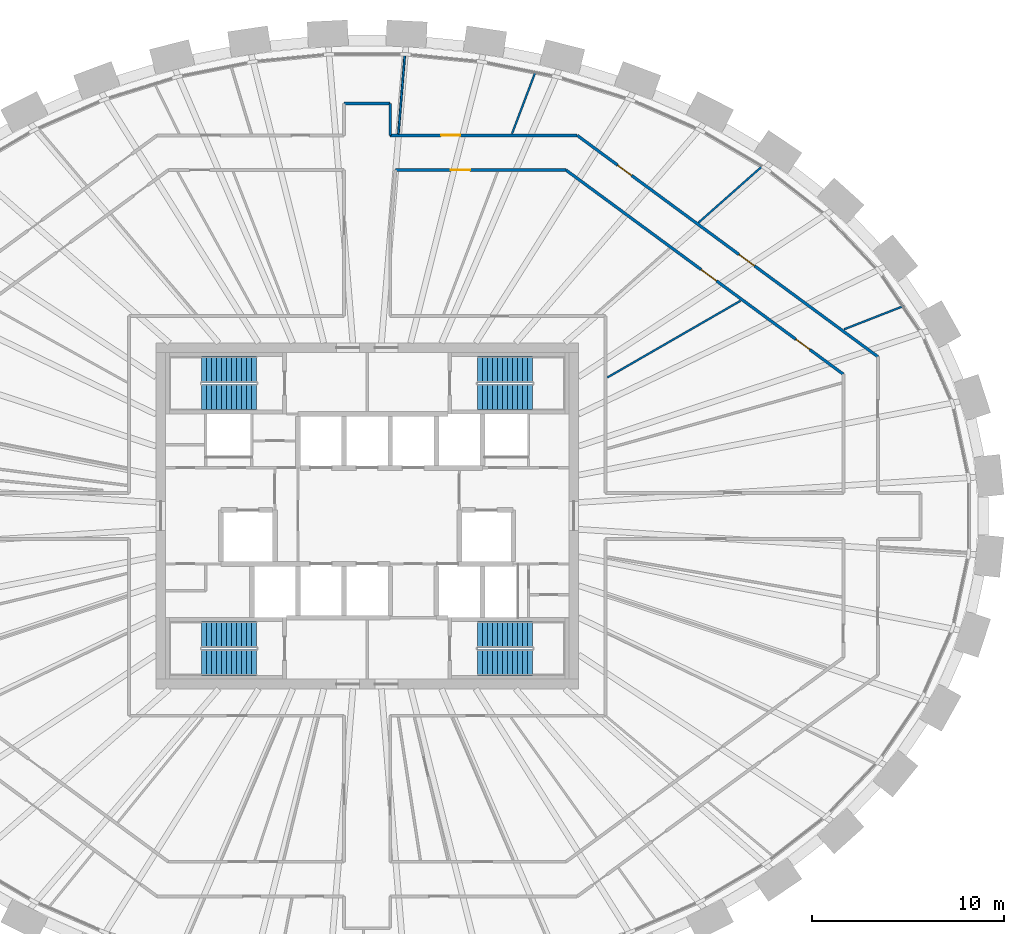
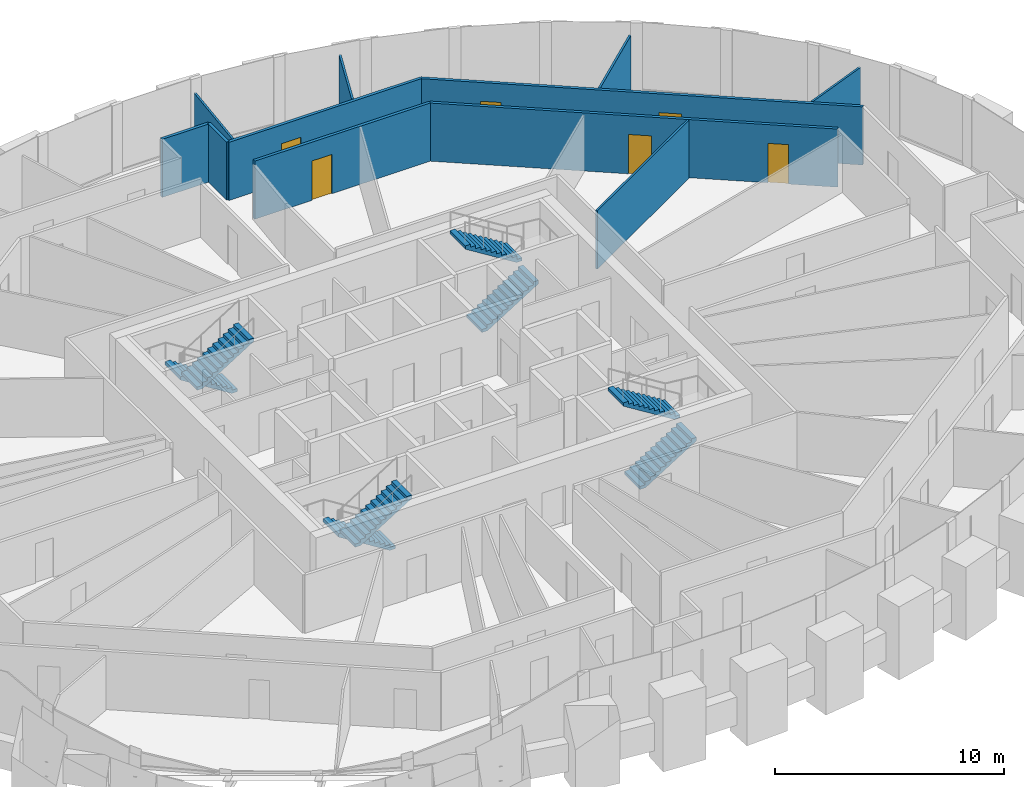
# One storey, part 11 of 12: 11 walls, 8 stair flights, 6 doors, 6 openings, 4 elements without a shape of their own.
"""IFC4 building model written with IfcOpenShell, lengths in metres."""

from ifc_helpers import new_model, si_unit, direction, frame, frame_2d, origin, place, context, subcontext, project, spatial, polyline, rectangle, outline, extrude, source, transform, mapped, material, layer, layer_set, type_object, element, fill, aggregate, save


model = new_model("IFC4")

# Units and contexts
model_context = context("Model", 3, precision=1e-05, world=origin(), true_north=direction((0.0, 1.0)))
body_context = subcontext(model_context, "Body", "Model", "MODEL_VIEW")
ifc_project = project(units=[si_unit("LENGTHUNIT", "METRE"), si_unit("AREAUNIT", "SQUARE_METRE"), si_unit("VOLUMEUNIT", "CUBIC_METRE"), si_unit("PLANEANGLEUNIT", "RADIAN"), si_unit("MASSUNIT", "GRAM", prefix="KILO")], contexts=[model_context])

# Site, building, storey
site_placement = place(None, origin())
site = spatial("IfcSite", under=ifc_project, at=site_placement, CompositionType="ELEMENT")
building_placement = place(site_placement, origin())
building = spatial("IfcBuilding", under=site, at=building_placement, Name="Embergate Tower", CompositionType="ELEMENT")
storey_placement = place(building_placement, frame((0.0, 0.0, 269.5)))
storey = spatial("IfcBuildingStorey", under=building, at=storey_placement, Name="L62", CompositionType="ELEMENT", Elevation=269.5)

# Wall
ifc_material_1 = material(Name="Corridor wall dry-lined 150")
ifc_layer_1 = layer(ifc_material_1, 0.14990234375)
ifc_layer_set_1 = layer_set([ifc_layer_1], Name="Corridor wall dry-lined 150")
wall_type_1 = type_object("IfcWallType", Name="Corridor wall dry-lined 150", PredefinedType="PARTITIONING", material=ifc_layer_set_1)
shared_shape_1 = source(origin(), body_context, "Body", "SweptSolid", [
    extrude(rectangle(XDim=2.39990234375, YDim=0.14990234375, at=frame_2d((1.199951171875, 0.0))), origin(), (0.0, 0.0, 1.0), 3.10009765625),
])
wall_1_placement = place(storey_placement, frame((-1.199951171875, 21.458984375, 0.0), z_axis=(0.0, 0.0, 1.0), x_axis=(1.0, 0.0, 0.0)))
element("IfcWall", 1, at=wall_1_placement, inside=storey, type_object=wall_type_1, Name="IP-2 wall", PredefinedType="PARTITIONING", context=body_context, shape_type="MappedRepresentation", body=[
    mapped(shared_shape_1, transform((0.0, 0.0, 0.0))),
])

# Wall, openings, doors
shared_shape_2 = source(origin(), body_context, "Body", "SweptSolid", [
    extrude(rectangle(XDim=19.429931640625, YDim=0.14990234375, at=frame_2d((9.71484375, 0.0))), origin(), (0.0, 0.0, 1.0), 3.10009765625),
])
wall_2_placement = place(storey_placement, frame((26.5810546875, 8.283935546875, 0.0), z_axis=(0.0, 0.0, 1.0), x_axis=(-0.8053507143, 0.592798639486, 0.0)))
wall_2 = element("IfcWall", 2, at=wall_2_placement, inside=storey, type_object=wall_type_1, Name="IP-2 wall", PredefinedType="PARTITIONING", context=body_context, shape_type="MappedRepresentation", body=[
    mapped(shared_shape_2, transform((0.0, 0.0, 0.0))),
])
shared_shape_3 = source(origin(), body_context, "Body", "SweptSolid", [
    extrude(rectangle(XDim=1.0, YDim=2.10009765625, at=frame_2d((0.5, 1.050048828125))), frame((0.0, 0.0849609375, 0.0), z_axis=(0.0, -1.0, 0.0), x_axis=(1.0, 0.0, 0.0)), (0.0, 0.0, 1.0), 0.169921875),
])
opening_1_placement = place(wall_2_placement, frame((7.97607421875, 0.0, 0.0)))
opening_1 = element("IfcOpeningElement", 3, at=opening_1_placement, cuts=wall_2, Name="Opening ID-2", PredefinedType="OPENING", context=body_context, shape_type="MappedRepresentation", body=[
    mapped(shared_shape_3, transform((0.0, 0.0, 0.0))),
])
shared_shape_4 = source(origin(), body_context, "Body", "SweptSolid", [
    extrude(rectangle(XDim=0.89990234375, YDim=2.10009765625, at=frame_2d((0.449951171875, 1.050048828125))), frame((0.0, 0.0849609375, 0.0), z_axis=(0.0, -1.0, 0.0), x_axis=(1.0, 0.0, 0.0)), (0.0, 0.0, 1.0), 0.169921875),
])
opening_2_placement = place(wall_2_placement, frame((15.9150390625, 0.0, 0.0)))
opening_2 = element("IfcOpeningElement", 4, at=opening_2_placement, cuts=wall_2, Name="Opening IF-1c", PredefinedType="OPENING", context=body_context, shape_type="MappedRepresentation", body=[
    mapped(shared_shape_4, transform((0.0, 0.0, 0.0))),
])
ifc_material_2 = material(Name="Escape fire door 900")
door_type_1 = type_object("IfcDoorType", Name="Escape fire door 900", OperationType="SINGLE_SWING_LEFT", PredefinedType="DOOR", material=ifc_material_2)
shared_shape_5 = source(origin(), body_context, "Body", "SweptSolid", [
    extrude(rectangle(XDim=0.89990234375, YDim=2.10009765625, at=frame_2d((0.449951171875, 1.050048828125))), frame((0.0, 0.02490234375, 0.0), z_axis=(0.0, -1.0, 0.0), x_axis=(1.0, 0.0, 0.0)), (0.0, 0.0, 1.0), 0.050048828125),
])
door_1_placement = place(opening_2_placement, origin())
door_1 = element("IfcDoor", 5, at=door_1_placement, inside=storey, type_object=door_type_1, Name="IF-1 door", OperationType="SINGLE_SWING_RIGHT", OverallHeight=2.10009765625, OverallWidth=0.89990234375, PredefinedType="DOOR", context=body_context, shape_type="MappedRepresentation", body=[
    mapped(shared_shape_5, transform((0.0, 0.0, 0.0))),
])
fill(opening_2, door_1)
ifc_material_3 = material(Name="Interior door 1000")
door_type_2 = type_object("IfcDoorType", Name="Interior door 1000", OperationType="SINGLE_SWING_LEFT", PredefinedType="DOOR", material=ifc_material_3)
shared_shape_6 = source(origin(), body_context, "Body", "SweptSolid", [
    extrude(rectangle(XDim=1.0, YDim=2.10009765625, at=frame_2d((0.5, 1.050048828125))), frame((0.0, 0.02490234375, 0.0), z_axis=(0.0, -1.0, 0.0), x_axis=(1.0, 0.0, 0.0)), (0.0, 0.0, 1.0), 0.050048828125),
])
door_2_placement = place(opening_1_placement, origin())
door_2 = element("IfcDoor", 6, at=door_2_placement, inside=storey, type_object=door_type_2, Name="ID-2 door", OperationType="SINGLE_SWING_LEFT", OverallHeight=2.10009765625, OverallWidth=1.0, PredefinedType="DOOR", context=body_context, shape_type="MappedRepresentation", body=[
    mapped(shared_shape_6, transform((0.0, 0.0, 0.0))),
])
fill(opening_1, door_2)

# Wall, opening, door
shared_shape_7 = source(origin(), body_context, "Body", "SweptSolid", [
    extrude(rectangle(XDim=9.733154296875, YDim=0.14990234375, at=frame_2d((4.86669921875, 0.0))), origin(), (0.0, 0.0, 1.0), 3.10009765625),
])
wall_3_placement = place(storey_placement, frame((1.199951171875, 19.802001953125, 0.0), z_axis=(0.0, 0.0, 1.0), x_axis=(1.0, 0.0, 0.0)))
wall_3 = element("IfcWall", 7, at=wall_3_placement, inside=storey, type_object=wall_type_1, Name="IP-2 wall", PredefinedType="PARTITIONING", context=body_context, shape_type="MappedRepresentation", body=[
    mapped(shared_shape_7, transform((0.0, 0.0, 0.0))),
])
opening_3_placement = place(wall_3_placement, frame((2.64599609375, 0.0, 0.0)))
opening_3 = element("IfcOpeningElement", 8, at=opening_3_placement, cuts=wall_3, Name="Opening ID-2", PredefinedType="OPENING", context=body_context, shape_type="MappedRepresentation", body=[
    mapped(shared_shape_3, transform((0.0, 0.0, 0.0))),
])
door_3_placement = place(opening_3_placement, origin())
door_3 = element("IfcDoor", 9, at=door_3_placement, inside=storey, type_object=door_type_2, Name="ID-2 door", OperationType="SINGLE_SWING_RIGHT", OverallHeight=2.10009765625, OverallWidth=1.0, PredefinedType="DOOR", context=body_context, shape_type="MappedRepresentation", body=[
    mapped(shared_shape_6, transform((0.0, 0.0, 0.0))),
])
fill(opening_3, door_3)

# Wall, openings, doors
shared_shape_8 = source(origin(), body_context, "Body", "SweptSolid", [
    extrude(rectangle(XDim=17.9287109375, YDim=0.14990234375, at=frame_2d((8.96435546875, 0.0))), origin(), (0.0, 0.0, 1.0), 3.10009765625),
])
wall_4_placement = place(storey_placement, frame((24.781005859375, 7.3740234375, 0.0), z_axis=(0.0, 0.0, 1.0), x_axis=(-0.805356928681, 0.592790196803, 0.0)))
wall_4 = element("IfcWall", 10, at=wall_4_placement, inside=storey, type_object=wall_type_1, Name="IP-2 wall", PredefinedType="PARTITIONING", context=body_context, shape_type="MappedRepresentation", body=[
    mapped(shared_shape_8, transform((0.0, 0.0, 0.0))),
])
opening_4_placement = place(wall_4_placement, frame((2.16259765625, 0.0, 0.0)))
opening_4 = element("IfcOpeningElement", 11, at=opening_4_placement, cuts=wall_4, Name="Opening IF-1c", PredefinedType="OPENING", context=body_context, shape_type="MappedRepresentation", body=[
    mapped(shared_shape_4, transform((0.0, 0.0, 0.0))),
])
opening_5_placement = place(wall_4_placement, frame((8.192138671875, 0.0, 0.0)))
opening_5 = element("IfcOpeningElement", 12, at=opening_5_placement, cuts=wall_4, Name="Opening ID-2", PredefinedType="OPENING", context=body_context, shape_type="MappedRepresentation", body=[
    mapped(shared_shape_3, transform((0.0, 0.0, 0.0))),
])
door_4_placement = place(opening_4_placement, origin())
door_4 = element("IfcDoor", 13, at=door_4_placement, inside=storey, type_object=door_type_1, Name="IF-1 door", OperationType="SINGLE_SWING_LEFT", OverallHeight=2.10009765625, OverallWidth=0.89990234375, PredefinedType="DOOR", context=body_context, shape_type="MappedRepresentation", body=[
    mapped(shared_shape_5, transform((0.0, 0.0, 0.0))),
])
fill(opening_4, door_4)
door_5_placement = place(opening_5_placement, origin())
door_5 = element("IfcDoor", 14, at=door_5_placement, inside=storey, type_object=door_type_2, Name="ID-2 door", OperationType="SINGLE_SWING_LEFT", OverallHeight=2.10009765625, OverallWidth=1.0, PredefinedType="DOOR", context=body_context, shape_type="MappedRepresentation", body=[
    mapped(shared_shape_6, transform((0.0, 0.0, 0.0))),
])
fill(opening_5, door_5)

# Wall
shared_shape_9 = source(origin(), body_context, "Body", "SweptSolid", [
    extrude(rectangle(XDim=1.656982421875, YDim=0.14990234375, at=frame_2d((0.82861328125, 0.0))), origin(), (0.0, 0.0, 1.0), 3.10009765625),
])
wall_5_placement = place(storey_placement, frame((1.199951171875, 21.458984375, 0.0), z_axis=(0.0, 0.0, 1.0), x_axis=(0.0, -1.0, 0.0)))
element("IfcWall", 15, at=wall_5_placement, inside=storey, type_object=wall_type_1, Name="IP-2 wall", PredefinedType="PARTITIONING", context=body_context, shape_type="MappedRepresentation", body=[
    mapped(shared_shape_9, transform((0.0, 0.0, 0.0))),
])

# Wall, opening, door
shared_shape_10 = source(origin(), body_context, "Body", "SweptSolid", [
    extrude(rectangle(XDim=8.8720703125, YDim=0.14990234375, at=frame_2d((4.43603515625, 0.0))), origin(), (0.0, 0.0, 1.0), 3.10009765625),
])
wall_6_placement = place(storey_placement, frame((1.469970703125, 18.001953125, 0.0), z_axis=(0.0, 0.0, 1.0), x_axis=(1.0, 0.0, 0.0)))
wall_6 = element("IfcWall", 16, at=wall_6_placement, inside=storey, type_object=wall_type_1, Name="IP-2 wall", PredefinedType="PARTITIONING", context=body_context, shape_type="MappedRepresentation", body=[
    mapped(shared_shape_10, transform((0.0, 0.0, 0.0))),
])
opening_6_placement = place(wall_6_placement, frame((2.8916015625, 0.0, 0.0)))
opening_6 = element("IfcOpeningElement", 17, at=opening_6_placement, cuts=wall_6, Name="Opening ID-2", PredefinedType="OPENING", context=body_context, shape_type="MappedRepresentation", body=[
    mapped(shared_shape_3, transform((0.0, 0.0, 0.0))),
])
door_6_placement = place(opening_6_placement, origin())
door_6 = element("IfcDoor", 18, at=door_6_placement, inside=storey, type_object=door_type_2, Name="ID-2 door", OperationType="SINGLE_SWING_LEFT", OverallHeight=2.10009765625, OverallWidth=1.0, PredefinedType="DOOR", context=body_context, shape_type="MappedRepresentation", body=[
    mapped(shared_shape_6, transform((0.0, 0.0, 0.0))),
])
fill(opening_6, door_6)

# Walls
ifc_material_4 = material(Name="Partition dry-lined 100")
ifc_layer_2 = layer(ifc_material_4, 0.10009765625)
ifc_layer_set_2 = layer_set([ifc_layer_2], Name="Partition dry-lined 100")
wall_type_2 = type_object("IfcWallType", Name="Partition dry-lined 100", PredefinedType="PARTITIONING", material=ifc_layer_set_2)
shared_shape_11 = source(origin(), body_context, "Body", "SweptSolid", [
    extrude(rectangle(XDim=3.367431640625, YDim=0.10009765625, at=frame_2d((1.68359375, 0.0))), origin(), (0.0, 0.0, 1.0), 3.10009765625),
])
wall_7_placement = place(storey_placement, frame((24.81591796875, 9.7099609375, 0.0), z_axis=(0.0, 0.0, 1.0), x_axis=(0.931250267116, 0.364380213509, 0.0)))
element("IfcWall", 19, at=wall_7_placement, inside=storey, type_object=wall_type_2, Name="IP-1 wall", PredefinedType="PARTITIONING", context=body_context, shape_type="MappedRepresentation", body=[
    mapped(shared_shape_11, transform((0.0, 0.0, 0.0))),
])
shared_shape_12 = source(origin(), body_context, "Body", "SweptSolid", [
    extrude(rectangle(XDim=4.40869140625, YDim=0.10009765625, at=frame_2d((2.204345703125, 0.0))), origin(), (0.0, 0.0, 1.0), 3.0),
])
wall_8_placement = place(storey_placement, frame((20.5439453125, 18.18505859375, 0.0), z_axis=(0.0, 0.0, 1.0), x_axis=(-0.748773489232, -0.662825966468, 0.0)))
element("IfcWall", 20, at=wall_8_placement, inside=storey, type_object=wall_type_2, Name="IP-1 wall", PredefinedType="PARTITIONING", context=body_context, shape_type="MappedRepresentation", body=[
    mapped(shared_shape_12, transform((0.0, 0.0, 0.0))),
])
shared_shape_13 = source(origin(), body_context, "Body", "SweptSolid", [
    extrude(rectangle(XDim=7.996826171875, YDim=0.10009765625, at=frame_2d((3.99853515625, 0.0))), origin(), (0.0, 0.0, 1.0), 3.10009765625),
])
wall_9_placement = place(storey_placement, frame((12.5, 7.202880859375, 0.0), z_axis=(0.0, 0.0, 1.0), x_axis=(0.866471599143, 0.499226369374, 0.0)))
element("IfcWall", 21, at=wall_9_placement, inside=storey, type_object=wall_type_2, Name="IP-1 wall", PredefinedType="PARTITIONING", context=body_context, shape_type="MappedRepresentation", body=[
    mapped(shared_shape_13, transform((0.0, 0.0, 0.0))),
])
shared_shape_14 = source(origin(), body_context, "Body", "SweptSolid", [
    extrude(rectangle(XDim=3.429443359375, YDim=0.10009765625, at=frame_2d((1.71484375, 0.0))), origin(), (0.0, 0.0, 1.0), 3.10009765625),
])
wall_10_placement = place(storey_placement, frame((7.5390625, 19.89404296875, 0.0), z_axis=(0.0, 0.0, 1.0), x_axis=(0.354242155274, 0.935153728232, 0.0)))
element("IfcWall", 22, at=wall_10_placement, inside=storey, type_object=wall_type_2, Name="IP-1 wall", PredefinedType="PARTITIONING", context=body_context, shape_type="MappedRepresentation", body=[
    mapped(shared_shape_14, transform((0.0, 0.0, 0.0))),
])
shared_shape_15 = source(origin(), body_context, "Body", "SweptSolid", [
    extrude(rectangle(XDim=4.148681640625, YDim=0.10009765625, at=frame_2d((2.07421875, 0.0))), origin(), (0.0, 0.0, 1.0), 2.89990234375),
])
wall_11_placement = place(storey_placement, frame((1.6240234375, 19.8759765625, 0.0), z_axis=(0.0, 0.0, 1.0), x_axis=(0.081209302503, 0.99669706992, 0.0)))
element("IfcWall", 23, at=wall_11_placement, inside=storey, type_object=wall_type_2, Name="IP-1 wall", PredefinedType="PARTITIONING", context=body_context, shape_type="MappedRepresentation", body=[
    mapped(shared_shape_15, transform((0.0, 0.0, 0.0))),
])

# Stair, stair flights
ifc_material_5 = material(Name="Exit stair")
stair_type = type_object("IfcStairType", Name="Exit stair", PredefinedType="HALF_TURN_STAIR", material=ifc_material_5)
stair_1_placement = place(storey_placement, origin())
stair_1 = element("IfcStair", 24, at=stair_1_placement, inside=storey, type_object=stair_type, Name="L62 Exit stair 1", PredefinedType="HALF_TURN_STAIR")
ifc_material_6 = material(Name="Concrete C40", Category="concrete")
stair_flight_type = type_object("IfcStairFlightType", Name="Stair flight reinforced concrete", PredefinedType="STRAIGHT", material=ifc_material_6)
shared_shape_16 = source(origin(), body_context, "Body", "SweptSolid", [
    extrude(outline(polyline([(0.0, 0.0), (0.0, 0.16259765625), (0.260009765625, 0.16259765625), (0.260009765625, 0.324951171875), (0.52001953125, 0.324951171875), (0.52001953125, 0.487548828125), (0.780029296875, 0.487548828125), (0.780029296875, 0.64990234375), (1.0400390625, 0.64990234375), (1.0400390625, 0.8125), (1.300048828125, 0.8125), (1.300048828125, 0.97509765625), (1.56005859375, 0.97509765625), (1.56005859375, 1.137451171875), (1.820068359375, 1.137451171875), (1.820068359375, 1.300048828125), (2.080078125, 1.300048828125), (2.080078125, 1.46240234375), (2.340087890625, 1.46240234375), (2.340087890625, 1.625), (2.60009765625, 1.625), (2.60009765625, 1.78759765625), (2.860107421875, 1.78759765625), (2.860107421875, 1.949951171875), (2.860107421875, 1.61083984375), (0.28271484375, 0.0), (0.0, 0.0)])), frame((0.0, 0.675048828125, 0.0), z_axis=(0.0, -1.0, 0.0), x_axis=(1.0, 0.0, 0.0)), (0.0, 0.0, 1.0), 1.35009765625),
])
stair_flight_1_placement = place(storey_placement, frame((-5.75, 7.625, 0.0), z_axis=(0.0, 0.0, 1.0), x_axis=(-1.0, 0.0, 0.0)))
stair_flight_1 = element("IfcStairFlight", 25, at=stair_flight_1_placement, type_object=stair_flight_type, Name="ST1 flight 1", NumberOfRisers=12, NumberOfTreads=11, PredefinedType="STRAIGHT", RiserHeight=0.1625, TreadLength=0.26, context=body_context, shape_type="MappedRepresentation", body=[
    mapped(shared_shape_16, transform((0.0, 0.0, 0.0))),
])
stair_flight_2_placement = place(storey_placement, frame((-8.610107421875, 6.175048828125, 1.949951171875), z_axis=(0.0, 0.0, 1.0), x_axis=(1.0, 0.0, 0.0)))
stair_flight_2 = element("IfcStairFlight", 26, at=stair_flight_2_placement, type_object=stair_flight_type, Name="ST1 flight 2", NumberOfRisers=12, NumberOfTreads=11, PredefinedType="STRAIGHT", RiserHeight=0.1625, TreadLength=0.26, context=body_context, shape_type="MappedRepresentation", body=[
    mapped(shared_shape_16, transform((0.0, 0.0, 0.0))),
])
aggregate(stair_1, [stair_flight_1, stair_flight_2])

stair_2_placement = place(storey_placement, origin())
stair_2 = element("IfcStair", 27, at=stair_2_placement, inside=storey, type_object=stair_type, Name="L62 Exit stair 2", PredefinedType="HALF_TURN_STAIR")
stair_flight_3_placement = place(storey_placement, frame((5.75, 6.175048828125, 0.0), z_axis=(0.0, 0.0, 1.0), x_axis=(1.0, 0.0, 0.0)))
stair_flight_3 = element("IfcStairFlight", 28, at=stair_flight_3_placement, type_object=stair_flight_type, Name="ST2 flight 1", NumberOfRisers=12, NumberOfTreads=11, PredefinedType="STRAIGHT", RiserHeight=0.1625, TreadLength=0.26, context=body_context, shape_type="MappedRepresentation", body=[
    mapped(shared_shape_16, transform((0.0, 0.0, 0.0))),
])
stair_flight_4_placement = place(storey_placement, frame((8.610107421875, 7.625, 1.949951171875), z_axis=(0.0, 0.0, 1.0), x_axis=(-1.0, 0.0, 0.0)))
stair_flight_4 = element("IfcStairFlight", 29, at=stair_flight_4_placement, type_object=stair_flight_type, Name="ST2 flight 2", NumberOfRisers=12, NumberOfTreads=11, PredefinedType="STRAIGHT", RiserHeight=0.1625, TreadLength=0.26, context=body_context, shape_type="MappedRepresentation", body=[
    mapped(shared_shape_16, transform((0.0, 0.0, 0.0))),
])
aggregate(stair_2, [stair_flight_3, stair_flight_4])

stair_3_placement = place(storey_placement, origin())
stair_3 = element("IfcStair", 30, at=stair_3_placement, inside=storey, type_object=stair_type, Name="L62 Exit stair 3", PredefinedType="HALF_TURN_STAIR")
stair_flight_5_placement = place(storey_placement, frame((-5.75, -6.175048828125, 0.0), z_axis=(0.0, 0.0, 1.0), x_axis=(-1.0, 0.0, 0.0)))
stair_flight_5 = element("IfcStairFlight", 31, at=stair_flight_5_placement, type_object=stair_flight_type, Name="ST3 flight 1", NumberOfRisers=12, NumberOfTreads=11, PredefinedType="STRAIGHT", RiserHeight=0.1625, TreadLength=0.26, context=body_context, shape_type="MappedRepresentation", body=[
    mapped(shared_shape_16, transform((0.0, 0.0, 0.0))),
])
stair_flight_6_placement = place(storey_placement, frame((-8.610107421875, -7.625, 1.949951171875), z_axis=(0.0, 0.0, 1.0), x_axis=(1.0, 0.0, 0.0)))
stair_flight_6 = element("IfcStairFlight", 32, at=stair_flight_6_placement, type_object=stair_flight_type, Name="ST3 flight 2", NumberOfRisers=12, NumberOfTreads=11, PredefinedType="STRAIGHT", RiserHeight=0.1625, TreadLength=0.26, context=body_context, shape_type="MappedRepresentation", body=[
    mapped(shared_shape_16, transform((0.0, 0.0, 0.0))),
])
aggregate(stair_3, [stair_flight_5, stair_flight_6])

stair_4_placement = place(storey_placement, origin())
stair_4 = element("IfcStair", 33, at=stair_4_placement, inside=storey, type_object=stair_type, Name="L62 Exit stair 4", PredefinedType="HALF_TURN_STAIR")
stair_flight_7_placement = place(storey_placement, frame((5.75, -7.625, 0.0), z_axis=(0.0, 0.0, 1.0), x_axis=(1.0, 0.0, 0.0)))
stair_flight_7 = element("IfcStairFlight", 34, at=stair_flight_7_placement, type_object=stair_flight_type, Name="ST4 flight 1", NumberOfRisers=12, NumberOfTreads=11, PredefinedType="STRAIGHT", RiserHeight=0.1625, TreadLength=0.26, context=body_context, shape_type="MappedRepresentation", body=[
    mapped(shared_shape_16, transform((0.0, 0.0, 0.0))),
])
stair_flight_8_placement = place(storey_placement, frame((8.610107421875, -6.175048828125, 1.949951171875), z_axis=(0.0, 0.0, 1.0), x_axis=(-1.0, 0.0, 0.0)))
stair_flight_8 = element("IfcStairFlight", 35, at=stair_flight_8_placement, type_object=stair_flight_type, Name="ST4 flight 2", NumberOfRisers=12, NumberOfTreads=11, PredefinedType="STRAIGHT", RiserHeight=0.1625, TreadLength=0.26, context=body_context, shape_type="MappedRepresentation", body=[
    mapped(shared_shape_16, transform((0.0, 0.0, 0.0))),
])
aggregate(stair_4, [stair_flight_7, stair_flight_8])

save(model, "model.ifc")
